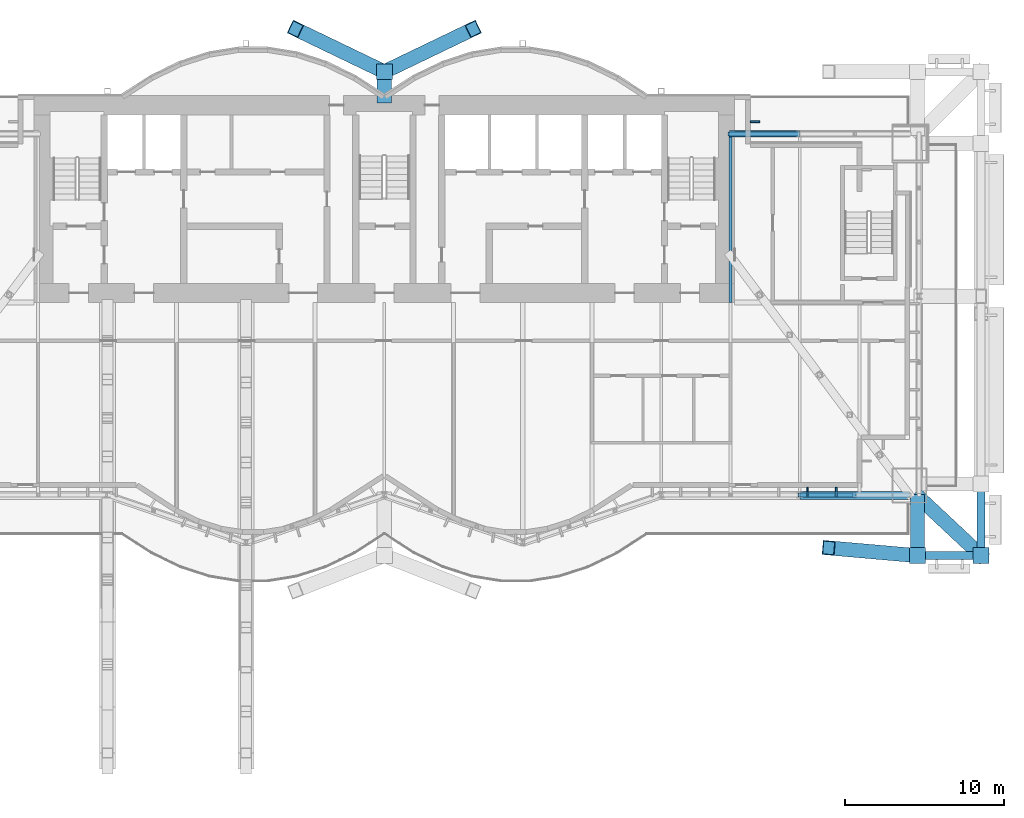
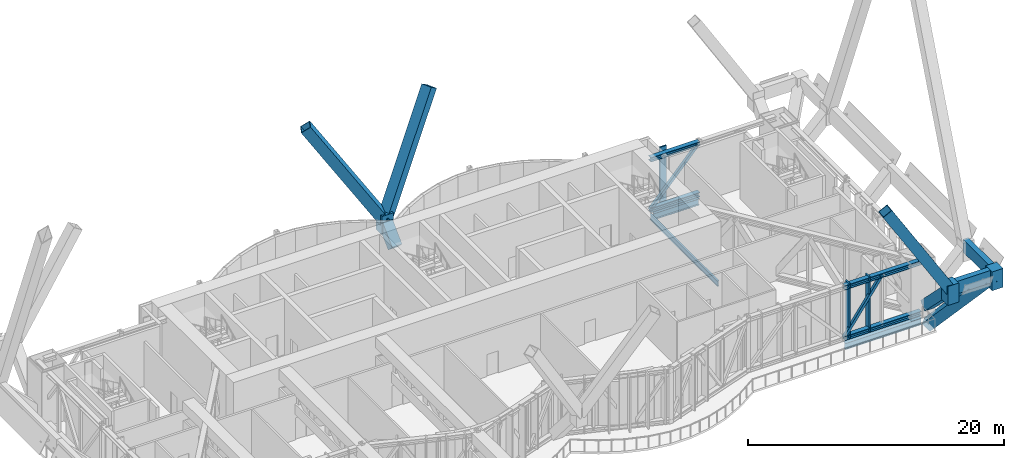
# One storey, part 14 of 30: 18 members, 5 beams, 1 element without a shape of its own.
"""IFC4 building model written with IfcOpenShell, lengths in metres."""

from ifc_helpers import new_model, si_unit, direction, frame, origin, origin_2d, place, context, subcontext, project, spatial, rectangle, hollow_rectangle, i_section, extrude, material, material_profile, profile_set, type_object, element, aggregate, save


model = new_model("IFC4")

# Units and contexts
model_context = context("Model", 3, precision=1e-05, world=origin(), true_north=direction((0.0, 1.0)))
body_context = subcontext(model_context, "Body", "Model", "MODEL_VIEW")
ifc_project = project(units=[si_unit("LENGTHUNIT", "METRE"), si_unit("AREAUNIT", "SQUARE_METRE"), si_unit("VOLUMEUNIT", "CUBIC_METRE"), si_unit("PLANEANGLEUNIT", "RADIAN"), si_unit("MASSUNIT", "GRAM", prefix="KILO")], contexts=[model_context])

# Site, building, storey
site_placement = place(None, origin())
site = spatial("IfcSite", under=ifc_project, at=site_placement, CompositionType="ELEMENT")
building_placement = place(site_placement, origin())
building = spatial("IfcBuilding", under=site, at=building_placement, Name="Bicima Exchange Tower", CompositionType="ELEMENT")
storey_placement = place(building_placement, frame((0.0, 0.0, 287.60009765625)))
storey = spatial("IfcBuildingStorey", under=building, at=storey_placement, Name="L65", CompositionType="ELEMENT", Elevation=287.60009765625)

# Curtain wall, members
ifc_material_1 = material(Name="Anodised bronze aluminium", Category="aluminium")
curtain_wall_type = type_object("IfcCurtainWallType", Name="Band blade screen", PredefinedType="NOTDEFINED", material=ifc_material_1)
curtain_wall_placement = place(storey_placement, origin())
curtain_wall = element("IfcCurtainWall", 1, at=curtain_wall_placement, inside=storey, type_object=curtain_wall_type, Name="Band blade screen L65", PredefinedType="NOTDEFINED")
ifc_material_profile_1 = material_profile(ifc_material_1, rectangle(XDim=0.60009765625, YDim=0.1201171875, at=origin_2d()))
ifc_profile_set_1 = profile_set([ifc_material_profile_1], Name="Anodised bronze aluminium")
member_type_1 = type_object("IfcMemberType", Name="Band blade fin 600 x 120", PredefinedType="USERDEFINED", material=ifc_profile_set_1)
member_1_placement = place(storey_placement, frame((23.300048828125, -1.64990234375, 0.0), z_axis=(0.0, 0.0, 1.0), x_axis=(-1.0, 0.0, 0.0)))
member_1 = element("IfcMember", 2, at=member_1_placement, type_object=member_type_1, Name="Band blade fin 7", ObjectType="FIN", PredefinedType="USERDEFINED", context=body_context, shape_type="SweptSolid", body=[
    extrude(rectangle(XDim=0.60009765625, YDim=0.1201171875, at=origin_2d()), origin(), (0.0, 0.0, 1.0), 5.25),
])
member_2_placement = place(storey_placement, frame((26.587158203125, -24.904052734375, 0.0), z_axis=(0.0, 0.0, 1.0), x_axis=(0.0, 1.0, 0.0)))
member_2 = element("IfcMember", 3, at=member_2_placement, type_object=member_type_1, Name="Band blade fin 47", ObjectType="FIN", PredefinedType="USERDEFINED", context=body_context, shape_type="SweptSolid", body=[
    extrude(rectangle(XDim=0.60009765625, YDim=0.1201171875, at=origin_2d()), origin(), (0.0, 0.0, 1.0), 5.25),
])
member_3_placement = place(storey_placement, frame((28.38720703125, -24.904052734375, 0.0), z_axis=(0.0, 0.0, 1.0), x_axis=(0.0, 1.0, 0.0)))
member_3 = element("IfcMember", 4, at=member_3_placement, type_object=member_type_1, Name="Band blade fin 48", ObjectType="FIN", PredefinedType="USERDEFINED", context=body_context, shape_type="SweptSolid", body=[
    extrude(rectangle(XDim=0.60009765625, YDim=0.1201171875, at=origin_2d()), origin(), (0.0, 0.0, 1.0), 5.25),
])
aggregate(curtain_wall, [member_1, member_2, member_3])

# Beams
ifc_material_2 = material(Name="Steel ASTM A572 Gr 50", Category="steel")
ifc_material_profile_2 = material_profile(ifc_material_2, hollow_rectangle(XDim=0.5, YDim=1.199951171875, WallThickness=0.0400390625, at=origin_2d()))
ifc_profile_set_2 = profile_set([ifc_material_profile_2], Name="Steel ASTM A572 Gr 50")
beam_type_1 = type_object("IfcBeamType", Name="Belt girder BOX 500x1200x40", PredefinedType="BEAM", material=ifc_profile_set_2)
beam_1_placement = place(storey_placement, frame((33.5, -28.900634765625, 4.64990234375), z_axis=(1.0, 0.0, 0.0), x_axis=(0.0, 1.0, 0.0)))
element("IfcBeam", 5, at=beam_1_placement, inside=storey, type_object=beam_type_1, Name="Belt girder", PredefinedType="BEAM", context=body_context, shape_type="SweptSolid", body=[
    extrude(hollow_rectangle(XDim=0.5, YDim=1.199951171875, WallThickness=0.0400390625, at=origin_2d()), origin(), (0.0, 0.0, 1.0), 4.0),
])
beam_2_placement = place(storey_placement, frame((37.5, -28.900634765625, 4.64990234375), z_axis=(0.0, 1.0, 0.0), x_axis=(-1.0, 0.0, 0.0)))
element("IfcBeam", 6, at=beam_2_placement, inside=storey, type_object=beam_type_1, Name="Belt girder", PredefinedType="BEAM", context=body_context, shape_type="SweptSolid", body=[
    extrude(hollow_rectangle(XDim=0.5, YDim=1.199951171875, WallThickness=0.0400390625, at=origin_2d()), origin(), (0.0, 0.0, 1.0), 4.5),
])

# Members
ifc_material_3 = material(Name="Steel ASTM A992 Gr 50", Category="steel")
ifc_material_profile_3 = material_profile(ifc_material_3, i_section(OverallWidth=0.406494140625, OverallDepth=0.41650390625, WebThickness=0.030029296875, FlangeThickness=0.048095703125, at=origin_2d()))
ifc_profile_set_3 = profile_set([ifc_material_profile_3], Name="Steel ASTM A992 Gr 50")
member_type_2 = type_object("IfcMemberType", Name="Belt truss chord W14x257", PredefinedType="CHORD", material=ifc_profile_set_3)
for number, where, z_axis, x_axis, name in (
    (7, (26.10009765625, -25.08203125, 5.04150390625), (1.0, 0.0, 0.0), (0.0, 1.0, 0.0), "Top chord"),
    (8, (26.10009765625, -25.08203125, 0.208251953125), (1.0, 0.0, 0.0), (0.0, 1.0, 0.0), "Bottom chord"),
):
    element("IfcMember", number, at=place(storey_placement, frame(where, z_axis=z_axis, x_axis=x_axis)), inside=storey, type_object=member_type_2, Name=name, PredefinedType="CHORD", context=body_context, shape_type="SweptSolid", body=[
        extrude(i_section(OverallWidth=0.406494140625, OverallDepth=0.41650390625, WebThickness=0.030029296875, FlangeThickness=0.048095703125, at=origin_2d()), origin(), (0.0, 0.0, 1.0), 6.89990234375),
    ])
for number, where, z_axis, x_axis, name in (
    (9, (21.699951171875, -2.39990234375, 5.04150390625), (1.0, 0.0, 0.0), (0.0, 1.0, 0.0), "Top chord"),
    (10, (21.699951171875, -2.39990234375, 0.208251953125), (1.0, 0.0, 0.0), (0.0, 1.0, 0.0), "Bottom chord"),
):
    element("IfcMember", number, at=place(storey_placement, frame(where, z_axis=z_axis, x_axis=x_axis)), inside=storey, type_object=member_type_2, Name=name, PredefinedType="CHORD", context=body_context, shape_type="SweptSolid", body=[
        extrude(i_section(OverallWidth=0.406494140625, OverallDepth=0.41650390625, WebThickness=0.030029296875, FlangeThickness=0.048095703125, at=origin_2d()), origin(), (0.0, 0.0, 1.0), 4.400146484375),
    ])
ifc_material_profile_4 = material_profile(ifc_material_2, hollow_rectangle(XDim=0.25390625, YDim=0.25390625, WallThickness=0.01171875, at=origin_2d()))
ifc_profile_set_4 = profile_set([ifc_material_profile_4], Name="Steel ASTM A572 Gr 50")
member_type_3 = type_object("IfcMemberType", Name="Belt truss diagonal HSS10x10x1/2", PredefinedType="STRUT", material=ifc_profile_set_4)
member_4_placement = place(storey_placement, frame((26.10009765625, -25.08203125, 0.208251953125), z_axis=(0.580973703743, 0.0, 0.813922327719), x_axis=(0.0, 1.0, 0.0)))
element("IfcMember", 11, at=member_4_placement, inside=storey, type_object=member_type_3, Name="Truss diagonal", PredefinedType="STRUT", context=body_context, shape_type="SweptSolid", body=[
    extrude(hollow_rectangle(XDim=0.25390625, YDim=0.25390625, WallThickness=0.01171875, at=origin_2d()), origin(), (0.0, 0.0, 1.0), 5.938232421875),
])
member_5_placement = place(storey_placement, frame((21.699951171875, -2.39990234375, 0.208251953125), z_axis=(0.673198766069, 0.0, 0.739461575313), x_axis=(0.0, 1.0, 0.0)))
element("IfcMember", 12, at=member_5_placement, inside=storey, type_object=member_type_3, Name="Truss diagonal", PredefinedType="STRUT", context=body_context, shape_type="SweptSolid", body=[
    extrude(hollow_rectangle(XDim=0.25390625, YDim=0.25390625, WallThickness=0.01171875, at=origin_2d()), origin(), (0.0, 0.0, 1.0), 6.5361328125),
])
ifc_material_profile_5 = material_profile(ifc_material_2, hollow_rectangle(XDim=0.89990234375, YDim=0.89990234375, WallThickness=0.050048828125, at=origin_2d()))
ifc_profile_set_5 = profile_set([ifc_material_profile_5], Name="Steel ASTM A572 Gr 50")
member_type_4 = type_object("IfcMemberType", Name="Exo mega brace BOX 900x900x50", PredefinedType="BRACE", material=ifc_profile_set_5)
member_6_placement = place(storey_placement, frame((0.0, 1.5, 4.5), z_axis=(0.50556886159, 0.243267294282, 0.827780858515), x_axis=(-0.433591692225, 0.901109451972, 0.0)))
element("IfcMember", 13, at=member_6_placement, inside=storey, type_object=member_type_4, Name="Exo mega brace rear", PredefinedType="BRACE", context=body_context, shape_type="SweptSolid", body=[
    extrude(hollow_rectangle(XDim=0.89990234375, YDim=0.89990234375, WallThickness=0.050048828125, at=origin_2d()), origin(), (0.0, 0.0, 1.0), 11.04345703125),
])
member_7_placement = place(storey_placement, frame((33.5, -28.900634765625, 4.5), z_axis=(-0.520687826351, 0.04546825787, 0.852535527128), x_axis=(-0.086992405552, -0.996208974752, 0.0)))
element("IfcMember", 14, at=member_7_placement, inside=storey, type_object=member_type_4, Name="Exo mega brace front", PredefinedType="BRACE", context=body_context, shape_type="SweptSolid", body=[
    extrude(hollow_rectangle(XDim=0.89990234375, YDim=0.89990234375, WallThickness=0.050048828125, at=origin_2d()), origin(), (0.0, 0.0, 1.0), 10.722900390625),
])
member_8_placement = place(storey_placement, frame((0.0, 1.5, 4.5), z_axis=(-0.50556886159, 0.243267294282, 0.827780858515), x_axis=(-0.433591692225, -0.901109451972, 0.0)))
element("IfcMember", 15, at=member_8_placement, inside=storey, type_object=member_type_4, Name="Exo mega brace rear", PredefinedType="BRACE", context=body_context, shape_type="SweptSolid", body=[
    extrude(hollow_rectangle(XDim=0.89990234375, YDim=0.89990234375, WallThickness=0.050048828125, at=origin_2d()), origin(), (0.0, 0.0, 1.0), 11.04345703125),
])
ifc_material_4 = material(Name="Cast steel ASTM A216 Gr WCB", Category="steel")
ifc_material_profile_6 = material_profile(ifc_material_4, rectangle(XDim=1.0, YDim=1.0, at=origin_2d()))
ifc_profile_set_6 = profile_set([ifc_material_profile_6], Name="Cast steel ASTM A216 Gr WCB")
member_type_5 = type_object("IfcMemberType", Name="Exo node block", PredefinedType="POST", material=ifc_profile_set_6)
for number, where, z_axis, x_axis, name in (
    (16, (33.5, -28.900634765625, 3.449951171875), (0.0, 0.0, 1.0), (1.0, 0.0, 0.0), "Exo node block"),
    (17, (37.5, -28.900634765625, 3.449951171875), (0.0, 0.0, 1.0), (1.0, 0.0, 0.0), "Exo node block"),
    (18, (0.0, 1.5, 3.449951171875), (0.0, 0.0, 1.0), (1.0, 0.0, 0.0), "Exo node block"),
):
    element("IfcMember", number, at=place(storey_placement, frame(where, z_axis=z_axis, x_axis=x_axis)), inside=storey, type_object=member_type_5, Name=name, PredefinedType="POST", context=body_context, shape_type="SweptSolid", body=[
        extrude(rectangle(XDim=1.0, YDim=1.0, at=origin_2d()), origin(), (0.0, 0.0, 1.0), 1.800048828125),
    ])
member_type_6 = type_object("IfcMemberType", Name="Exo outrigger stub BOX 900x900x50", PredefinedType="STRUT", material=ifc_profile_set_5)
member_9_placement = place(storey_placement, frame((33.5, -25.360595703125, 0.9599609375), z_axis=(0.0, -0.707106781187, 0.707106781187), x_axis=(1.0, 0.0, 0.0)))
element("IfcMember", 19, at=member_9_placement, inside=storey, type_object=member_type_6, Name="Exo outrigger stub", PredefinedType="STRUT", context=body_context, shape_type="SweptSolid", body=[
    extrude(hollow_rectangle(XDim=0.89990234375, YDim=0.89990234375, WallThickness=0.050048828125, at=origin_2d()), origin(), (0.0, 0.0, 1.0), 5.00634765625),
])
member_10_placement = place(storey_placement, frame((33.565673828125, -25.218994140625, -1.08837890625), z_axis=(0.506808187845, -0.474257987757, 0.71987833818), x_axis=(0.683270143381, 0.730165673779, 0.0)))
element("IfcMember", 20, at=member_10_placement, inside=storey, type_object=member_type_6, Name="Exo outrigger stub", PredefinedType="STRUT", context=body_context, shape_type="SweptSolid", body=[
    extrude(hollow_rectangle(XDim=0.89990234375, YDim=0.89990234375, WallThickness=0.050048828125, at=origin_2d()), origin(), (0.0, 0.0, 1.0), 7.762939453125),
])
member_11_placement = place(storey_placement, frame((0.0, -0.14990234375, 2.849853515625), z_axis=(0.0, 0.707054466846, 0.707159091657), x_axis=(-1.0, 0.0, 0.0)))
element("IfcMember", 21, at=member_11_placement, inside=storey, type_object=member_type_6, Name="Exo outrigger stub", PredefinedType="STRUT", context=body_context, shape_type="SweptSolid", body=[
    extrude(hollow_rectangle(XDim=0.89990234375, YDim=0.89990234375, WallThickness=0.050048828125, at=origin_2d()), origin(), (0.0, 0.0, 1.0), 2.33349609375),
])

# Beams
ifc_material_profile_7 = material_profile(ifc_material_3, i_section(OverallWidth=0.165771484375, OverallDepth=0.5283203125, WebThickness=0.009765625, FlangeThickness=0.013671875, at=origin_2d()))
ifc_profile_set_7 = profile_set([ifc_material_profile_7], Name="Steel ASTM A992 Gr 50")
beam_type_2 = type_object("IfcBeamType", Name="Floor beam W21x50", PredefinedType="JOIST", material=ifc_profile_set_7)
beam_3_placement = place(storey_placement, frame((21.75, -2.39990234375, -0.46435546875), z_axis=(0.0, -1.0, 0.0), x_axis=(1.0, 0.0, 0.0)))
element("IfcBeam", 22, at=beam_3_placement, inside=storey, type_object=beam_type_2, Name="Floor beam", PredefinedType="JOIST", context=body_context, shape_type="SweptSolid", body=[
    extrude(i_section(OverallWidth=0.165771484375, OverallDepth=0.5283203125, WebThickness=0.009765625, FlangeThickness=0.013671875, at=origin_2d()), origin(), (0.0, 0.0, 1.0), 10.60009765625),
])
ifc_material_profile_8 = material_profile(ifc_material_3, i_section(OverallWidth=0.3251953125, OverallDepth=0.612060546875, WebThickness=0.0126953125, FlangeThickness=0.01904296875, at=origin_2d()))
ifc_profile_set_8 = profile_set([ifc_material_profile_8], Name="Steel ASTM A992 Gr 50")
beam_type_3 = type_object("IfcBeamType", Name="Front girder W24x104", PredefinedType="BEAM", material=ifc_profile_set_8)
beam_4_placement = place(storey_placement, frame((26.10009765625, -25.2041015625, -0.506103515625), z_axis=(1.0, 0.0, 0.0), x_axis=(0.0, 1.0, 0.0)))
element("IfcBeam", 23, at=beam_4_placement, inside=storey, type_object=beam_type_3, Name="Front girder", PredefinedType="BEAM", context=body_context, shape_type="SweptSolid", body=[
    extrude(i_section(OverallWidth=0.3251953125, OverallDepth=0.612060546875, WebThickness=0.0126953125, FlangeThickness=0.01904296875, at=origin_2d()), origin(), (0.0, 0.0, 1.0), 6.89990234375),
])
beam_type_4 = type_object("IfcBeamType", Name="Rear girder W24x104", PredefinedType="BEAM", material=ifc_profile_set_8)
beam_5_placement = place(storey_placement, frame((22.0, -2.39990234375, -0.506103515625), z_axis=(1.0, 0.0, 0.0), x_axis=(0.0, 1.0, 0.0)))
element("IfcBeam", 24, at=beam_5_placement, inside=storey, type_object=beam_type_4, Name="Rear girder", PredefinedType="BEAM", context=body_context, shape_type="SweptSolid", body=[
    extrude(i_section(OverallWidth=0.3251953125, OverallDepth=0.612060546875, WebThickness=0.0126953125, FlangeThickness=0.01904296875, at=origin_2d()), origin(), (0.0, 0.0, 1.0), 4.10009765625),
])

save(model, "model.ifc")
